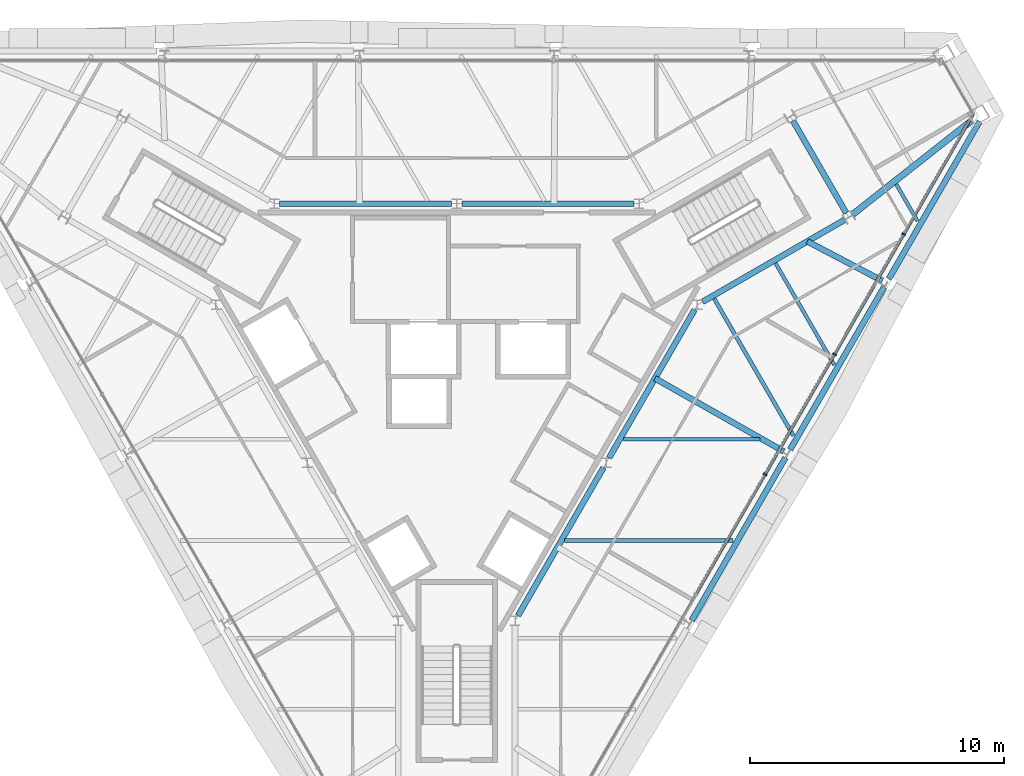
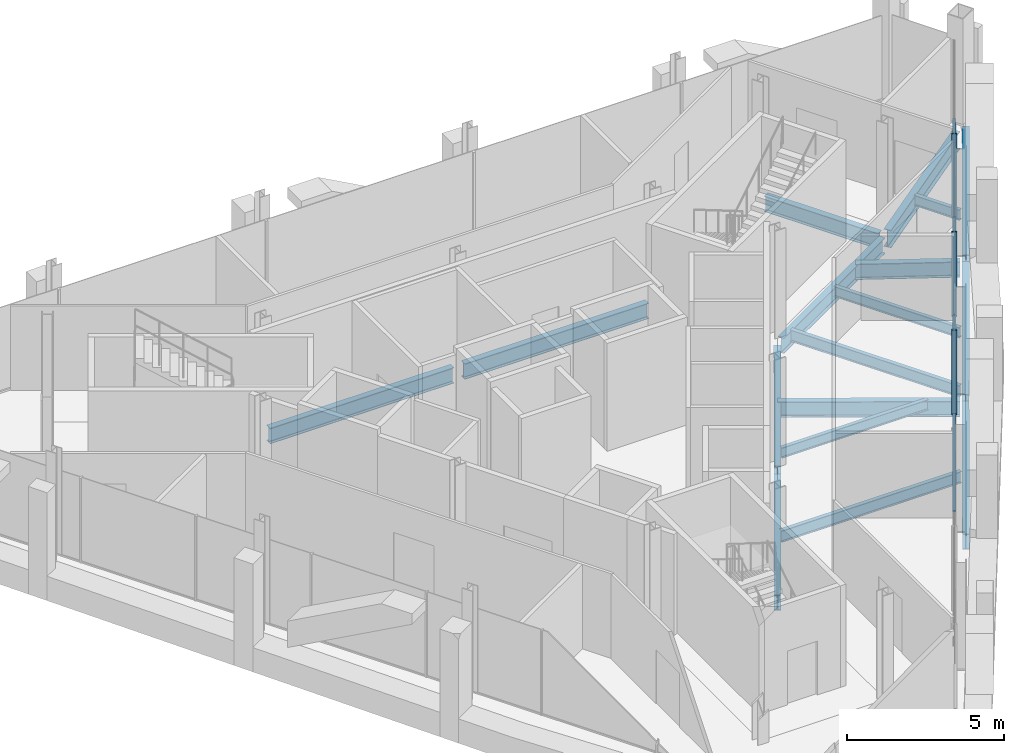
# One storey, part 5 of 13: 17 beams, 7 members, 1 element without a shape of its own.
"""IFC4 building model written with IfcOpenShell, lengths in metres."""

from ifc_helpers import new_model, si_unit, direction, frame, origin, origin_2d, place, context, subcontext, project, spatial, rectangle, i_section, extrude, material, material_profile, profile_set, type_object, element, aggregate, save


model = new_model("IFC4")

# Units and contexts
model_context = context("Model", 3, precision=1e-05, world=origin(), true_north=direction((0.0, 1.0)))
body_context = subcontext(model_context, "Body", "Model", "MODEL_VIEW")
ifc_project = project(units=[si_unit("LENGTHUNIT", "METRE"), si_unit("AREAUNIT", "SQUARE_METRE"), si_unit("VOLUMEUNIT", "CUBIC_METRE"), si_unit("PLANEANGLEUNIT", "RADIAN"), si_unit("MASSUNIT", "GRAM", prefix="KILO")], contexts=[model_context])

# Site, building, storey
site_placement = place(None, origin())
site = spatial("IfcSite", under=ifc_project, at=site_placement, CompositionType="ELEMENT")
building_placement = place(site_placement, origin())
building = spatial("IfcBuilding", under=site, at=building_placement, Name="Verrane Prism Tower", CompositionType="ELEMENT")
storey_placement = place(building_placement, frame((0.0, 0.0, 308.39990234375)))
storey = spatial("IfcBuildingStorey", under=building, at=storey_placement, Name="L78", CompositionType="ELEMENT", Elevation=308.39990234375)

# Beams
ifc_material_1 = material(Name="Steel A992", Category="steel")
ifc_material_profile_1 = material_profile(ifc_material_1, i_section(OverallWidth=0.228271484375, OverallDepth=0.607177734375, WebThickness=0.01123046875, FlangeThickness=0.017333984375, FilletRadius=0.0126953125, at=origin_2d()), Name="W24x76")
ifc_profile_set_1 = profile_set([ifc_material_profile_1], Name="Steel A992")
beam_type_1 = type_object("IfcBeamType", Name="Core ring girder W24x76", PredefinedType="BEAM", material=ifc_profile_set_1)
beam_1_placement = place(storey_placement, frame((9.679443359375, 2.93505859375, -0.553466796875), z_axis=(0.866076057046, 0.499912255713, 0.0), x_axis=(-0.499912255713, 0.866076057046, 0.0)))
element("IfcBeam", 1, at=beam_1_placement, inside=storey, type_object=beam_type_1, Name="Core ring girder L78", PredefinedType="BEAM", context=body_context, shape_type="SweptSolid", body=[
    extrude(i_section(OverallWidth=0.228271484375, OverallDepth=0.607177734375, WebThickness=0.01123046875, FlangeThickness=0.017333984375, FilletRadius=0.0126953125, at=origin_2d()), origin(), (0.0, 0.0, 1.0), 6.458251953125),
])
beam_2_placement = place(storey_placement, frame((15.340087890625, 6.4326171875, -0.553466796875), z_axis=(-0.500323136493, 0.865838760445, 0.0), x_axis=(-0.865838760445, -0.500323136493, 0.0)))
element("IfcBeam", 2, at=beam_2_placement, inside=storey, type_object=beam_type_1, Name="Core ring girder L78", PredefinedType="BEAM", context=body_context, shape_type="SweptSolid", body=[
    extrude(i_section(OverallWidth=0.228271484375, OverallDepth=0.607177734375, WebThickness=0.01123046875, FlangeThickness=0.017333984375, FilletRadius=0.0126953125, at=origin_2d()), origin(), (0.0, 0.0, 1.0), 4.197998046875),
])
for number, where, z_axis, x_axis, name in (
    (3, (6.980712890625, 6.800048828125, -0.553466796875), (-1.0, 0.0, 0.0), (0.0, -1.0, 0.0), "Core ring girder L78"),
    (4, (-0.199462890625, 6.800048828125, -0.553466796875), (-1.0, 0.0, 0.0), (0.0, -1.0, 0.0), "Core ring girder L78"),
):
    element("IfcBeam", number, at=place(storey_placement, frame(where, z_axis=z_axis, x_axis=x_axis)), inside=storey, type_object=beam_type_1, Name=name, PredefinedType="BEAM", context=body_context, shape_type="SweptSolid", body=[
        extrude(i_section(OverallWidth=0.228271484375, OverallDepth=0.607177734375, WebThickness=0.01123046875, FlangeThickness=0.017333984375, FilletRadius=0.0126953125, at=origin_2d()), origin(), (0.0, 0.0, 1.0), 6.78125),
    ])
for number, where, z_axis, x_axis, name in (
    (5, (2.411376953125, -9.427001953125, -0.553466796875), (0.499881421193, 0.866093854468, 0.0), (-0.866093854468, 0.499881421193, 0.0), "Core ring girder L78"),
    (6, (6.00146484375, -3.20703125, -0.553466796875), (0.499881421193, 0.866093854468, 0.0), (-0.866093854468, 0.499881421193, 0.0), "Core ring girder L78"),
):
    element("IfcBeam", number, at=place(storey_placement, frame(where, z_axis=z_axis, x_axis=x_axis)), inside=storey, type_object=beam_type_1, Name=name, PredefinedType="BEAM", context=body_context, shape_type="SweptSolid", body=[
        extrude(i_section(OverallWidth=0.228271484375, OverallDepth=0.607177734375, WebThickness=0.01123046875, FlangeThickness=0.017333984375, FilletRadius=0.0126953125, at=origin_2d()), origin(), (0.0, 0.0, 1.0), 6.736083984375),
    ])
ifc_material_2 = material(Name="Steel A992", Category="steel")
ifc_material_profile_2 = material_profile(ifc_material_2, i_section(OverallWidth=0.25390625, OverallDepth=0.683349609375, WebThickness=0.012451171875, FlangeThickness=0.01904296875, FilletRadius=0.01513671875, at=origin_2d()), Name="W27x94")
ifc_profile_set_2 = profile_set([ifc_material_profile_2], Name="Steel A992")
beam_type_2 = type_object("IfcBeamType", Name="Corner girder W27x94", PredefinedType="BEAM", material=ifc_profile_set_2)
beam_3_placement = place(storey_placement, frame((20.26220703125, 10.06103515625, -0.5615234375), z_axis=(-0.785339810319, -0.619064925777, 0.0), x_axis=(0.619064925777, -0.785339810319, 0.0)))
element("IfcBeam", 7, at=beam_3_placement, inside=storey, type_object=beam_type_2, Name="Corner girder L78", PredefinedType="BEAM", context=body_context, shape_type="SweptSolid", body=[
    extrude(i_section(OverallWidth=0.25390625, OverallDepth=0.683349609375, WebThickness=0.012451171875, FlangeThickness=0.01904296875, FilletRadius=0.01513671875, at=origin_2d()), origin(), (0.0, 0.0, 1.0), 5.945068359375),
])
ifc_material_3 = material(Name="Steel A992", Category="steel")
ifc_material_profile_3 = material_profile(ifc_material_3, i_section(OverallWidth=0.140380859375, OverallDepth=0.40380859375, WebThickness=0.007080078125, FlangeThickness=0.01123046875, FilletRadius=0.01025390625, at=origin_2d()), Name="W16x31")
ifc_profile_set_3 = profile_set([ifc_material_profile_3], Name="Steel A992")
beam_type_3 = type_object("IfcBeamType", Name="Floor beam W16x31", PredefinedType="BEAM", material=ifc_profile_set_3)
beam_4_placement = place(storey_placement, frame((6.5595703125, -2.469970703125, -0.36181640625), z_axis=(1.0, 0.0, 0.0), x_axis=(0.0, 1.0, 0.0)))
element("IfcBeam", 8, at=beam_4_placement, inside=storey, type_object=beam_type_3, Name="Floor beam L78", PredefinedType="BEAM", context=body_context, shape_type="SweptSolid", body=[
    extrude(i_section(OverallWidth=0.140380859375, OverallDepth=0.40380859375, WebThickness=0.007080078125, FlangeThickness=0.01123046875, FilletRadius=0.01025390625, at=origin_2d()), origin(), (0.0, 0.0, 1.0), 5.39208984375),
])
beam_5_placement = place(storey_placement, frame((14.8671875, 0.453369140625, -0.36181640625), z_axis=(-0.500013101342, 0.866017839589, 0.0), x_axis=(-0.866017839589, -0.500013101342, 0.0)))
element("IfcBeam", 9, at=beam_5_placement, inside=storey, type_object=beam_type_3, Name="Floor beam L78", PredefinedType="BEAM", context=body_context, shape_type="SweptSolid", body=[
    extrude(i_section(OverallWidth=0.140380859375, OverallDepth=0.40380859375, WebThickness=0.007080078125, FlangeThickness=0.01123046875, FilletRadius=0.01025390625, at=origin_2d()), origin(), (0.0, 0.0, 1.0), 4.62939453125),
])
beam_6_placement = place(storey_placement, frame((18.142578125, 6.123779296875, -0.36181640625), z_axis=(-0.499912255713, 0.866076057046, 0.0), x_axis=(-0.866076057046, -0.499912255713, 0.0)))
element("IfcBeam", 10, at=beam_6_placement, inside=storey, type_object=beam_type_3, Name="Floor beam L78", PredefinedType="BEAM", context=body_context, shape_type="SweptSolid", body=[
    extrude(i_section(OverallWidth=0.140380859375, OverallDepth=0.40380859375, WebThickness=0.007080078125, FlangeThickness=0.01123046875, FilletRadius=0.01025390625, at=origin_2d()), origin(), (0.0, 0.0, 1.0), 1.670166015625),
])
ifc_material_4 = material(Name="Steel A992", Category="steel")
ifc_material_profile_4 = material_profile(ifc_material_4, i_section(OverallWidth=0.15234375, OverallDepth=0.449462890625, WebThickness=0.007568359375, FlangeThickness=0.0107421875, FilletRadius=0.01025390625, at=origin_2d()), Name="W18x35")
ifc_profile_set_4 = profile_set([ifc_material_profile_4], Name="Steel A992")
beam_type_4 = type_object("IfcBeamType", Name="Floor beam W18x35", PredefinedType="BEAM", material=ifc_profile_set_4)
beam_7_placement = place(storey_placement, frame((4.251953125, -6.4599609375, -0.384765625), z_axis=(1.0, 0.0, 0.0), x_axis=(0.0, 1.0, 0.0)))
element("IfcBeam", 11, at=beam_7_placement, inside=storey, type_object=beam_type_4, Name="Floor beam L78", PredefinedType="BEAM", context=body_context, shape_type="SweptSolid", body=[
    extrude(i_section(OverallWidth=0.15234375, OverallDepth=0.449462890625, WebThickness=0.007568359375, FlangeThickness=0.0107421875, FilletRadius=0.01025390625, at=origin_2d()), origin(), (0.0, 0.0, 1.0), 6.625244140625),
])
beam_8_placement = place(storey_placement, frame((13.255615234375, -2.33349609375, -0.384765625), z_axis=(-0.499991270124, 0.866030443922, 0.0), x_axis=(-0.866030443922, -0.499991270124, 0.0)))
element("IfcBeam", 12, at=beam_8_placement, inside=storey, type_object=beam_type_4, Name="Floor beam L78", PredefinedType="BEAM", context=body_context, shape_type="SweptSolid", body=[
    extrude(i_section(OverallWidth=0.15234375, OverallDepth=0.449462890625, WebThickness=0.007568359375, FlangeThickness=0.0107421875, FilletRadius=0.01025390625, at=origin_2d()), origin(), (0.0, 0.0, 1.0), 6.23681640625),
])

# Curtain wall, members
ifc_material_5 = material(Name="Aluminium framed insulated glazing", Category="aluminium")
curtain_wall_type = type_object("IfcCurtainWallType", Name="Curtain wall CW-B 5600 module", PredefinedType="NOTDEFINED", material=ifc_material_5)
curtain_wall_placement = place(storey_placement, origin())
curtain_wall = element("IfcCurtainWall", 13, at=curtain_wall_placement, inside=storey, type_object=curtain_wall_type, Name="Glazed curtain wall south-east face L78", PredefinedType="NOTDEFINED")
ifc_material_6 = material(Name="Aluminium alloy 6063-T6", Category="aluminium")
ifc_material_profile_5 = material_profile(ifc_material_6, rectangle(XDim=0.159912109375, YDim=0.06005859375, at=origin_2d()), Name="Mullion 60x160 aluminium")
ifc_profile_set_5 = profile_set([ifc_material_profile_5], Name="Aluminium alloy 6063-T6")
member_type_1 = type_object("IfcMemberType", Name="Mullion 60x160 aluminium", PredefinedType="MULLION", material=ifc_profile_set_5)
member_1_placement = place(storey_placement, frame((12.144775390625, -3.85888671875, 0.0), z_axis=(0.0, 0.0, 1.0), x_axis=(-0.866025278644, 0.500000216749, 0.0)))
member_1 = element("IfcMember", 14, at=member_1_placement, type_object=member_type_1, Name="CW78.6 mullion 5", PredefinedType="MULLION", context=body_context, shape_type="SweptSolid", body=[
    extrude(rectangle(XDim=0.159912109375, YDim=0.06005859375, at=origin_2d()), origin(), (0.0, 0.0, 1.0), 3.296875),
])
member_2_placement = place(storey_placement, frame((14.87548828125, 0.87060546875, 0.0), z_axis=(0.0, 0.0, 1.0), x_axis=(-0.866025278644, 0.500000216749, 0.0)))
member_2 = element("IfcMember", 15, at=member_2_placement, type_object=member_type_1, Name="CW78.6 mullion 6", PredefinedType="MULLION", context=body_context, shape_type="SweptSolid", body=[
    extrude(rectangle(XDim=0.159912109375, YDim=0.06005859375, at=origin_2d()), origin(), (0.0, 0.0, 1.0), 3.296875),
])
member_3_placement = place(storey_placement, frame((17.60595703125, 5.60009765625, 0.0), z_axis=(0.0, 0.0, 1.0), x_axis=(-0.866025278644, 0.500000216749, 0.0)))
member_3 = element("IfcMember", 16, at=member_3_placement, type_object=member_type_1, Name="CW78.6 mullion 7", PredefinedType="MULLION", context=body_context, shape_type="SweptSolid", body=[
    extrude(rectangle(XDim=0.159912109375, YDim=0.06005859375, at=origin_2d()), origin(), (0.0, 0.0, 1.0), 3.296875),
])

# Beams
ifc_material_7 = material(Name="Steel A992", Category="steel")
ifc_material_profile_6 = material_profile(ifc_material_7, i_section(OverallWidth=0.228271484375, OverallDepth=0.607177734375, WebThickness=0.01123046875, FlangeThickness=0.017333984375, FilletRadius=0.0126953125, at=origin_2d()), Name="W24x76")
ifc_profile_set_6 = profile_set([ifc_material_profile_6], Name="Steel A992")
beam_type_5 = type_object("IfcBeamType", Name="Radial girder W24x76", PredefinedType="BEAM", material=ifc_profile_set_6)
beam_9_placement = place(storey_placement, frame((12.876220703125, -2.951904296875, -0.5234375), z_axis=(-0.869842405914, 0.493329695917, 0.0), x_axis=(-0.493329695917, -0.869842405914, 0.0)))
element("IfcBeam", 17, at=beam_9_placement, inside=storey, type_object=beam_type_5, Name="Radial girder L78", PredefinedType="BEAM", context=body_context, shape_type="SweptSolid", body=[
    extrude(i_section(OverallWidth=0.228271484375, OverallDepth=0.607177734375, WebThickness=0.01123046875, FlangeThickness=0.017333984375, FilletRadius=0.0126953125, at=origin_2d()), origin(), (0.0, 0.0, 1.0), 5.82666015625),
])
beam_10_placement = place(storey_placement, frame((16.759765625, 3.76513671875, -0.5234375), z_axis=(-0.88527666462, 0.465064755792, 0.0), x_axis=(-0.465064755792, -0.88527666462, 0.0)))
element("IfcBeam", 18, at=beam_10_placement, inside=storey, type_object=beam_type_5, Name="Radial girder L78", PredefinedType="BEAM", context=body_context, shape_type="SweptSolid", body=[
    extrude(i_section(OverallWidth=0.228271484375, OverallDepth=0.607177734375, WebThickness=0.01123046875, FlangeThickness=0.017333984375, FilletRadius=0.0126953125, at=origin_2d()), origin(), (0.0, 0.0, 1.0), 3.336669921875),
])
ifc_material_8 = material(Name="Steel A992", Category="steel")
ifc_material_profile_7 = material_profile(ifc_material_8, i_section(OverallWidth=0.228271484375, OverallDepth=0.607177734375, WebThickness=0.01123046875, FlangeThickness=0.017333984375, FilletRadius=0.0126953125, at=origin_2d()), Name="W24x76")
ifc_profile_set_7 = profile_set([ifc_material_profile_7], Name="Steel A992")
beam_type_6 = type_object("IfcBeamType", Name="Spandrel beam W24x76", PredefinedType="SPANDREL", material=ifc_profile_set_7)
beam_11_placement = place(storey_placement, frame((9.251953125, -9.610107421875, -0.46337890625), z_axis=(0.499307867729, 0.866424637937, 0.0), x_axis=(-0.866424637937, 0.499307867729, 0.0)))
element("IfcBeam", 19, at=beam_11_placement, inside=storey, type_object=beam_type_6, Name="Spandrel beam L78", PredefinedType="SPANDREL", context=body_context, shape_type="SweptSolid", body=[
    extrude(i_section(OverallWidth=0.228271484375, OverallDepth=0.607177734375, WebThickness=0.01123046875, FlangeThickness=0.017333984375, FilletRadius=0.0126953125, at=origin_2d()), origin(), (0.0, 0.0, 1.0), 7.39306640625),
])
beam_12_placement = place(storey_placement, frame((13.1298828125, -2.88134765625, -0.46337890625), z_axis=(0.500482835785, 0.865746458892, 0.0), x_axis=(-0.865746458892, 0.500482835785, 0.0)))
element("IfcBeam", 20, at=beam_12_placement, inside=storey, type_object=beam_type_6, Name="Spandrel beam L78", PredefinedType="SPANDREL", context=body_context, shape_type="SweptSolid", body=[
    extrude(i_section(OverallWidth=0.228271484375, OverallDepth=0.607177734375, WebThickness=0.01123046875, FlangeThickness=0.017333984375, FilletRadius=0.0126953125, at=origin_2d()), origin(), (0.0, 0.0, 1.0), 7.391845703125),
])
beam_13_placement = place(storey_placement, frame((17.01611328125, 3.84130859375, -0.46337890625), z_axis=(0.499651701324, 0.866226400755, 0.0), x_axis=(-0.866226400755, 0.499651701324, 0.0)))
element("IfcBeam", 21, at=beam_13_placement, inside=storey, type_object=beam_type_6, Name="Spandrel beam L78", PredefinedType="SPANDREL", context=body_context, shape_type="SweptSolid", body=[
    extrude(i_section(OverallWidth=0.228271484375, OverallDepth=0.607177734375, WebThickness=0.01123046875, FlangeThickness=0.017333984375, FilletRadius=0.0126953125, at=origin_2d()), origin(), (0.0, 0.0, 1.0), 7.16943359375),
])

# Member
ifc_material_9 = material(Name="Aluminium alloy 6063-T6", Category="aluminium")
ifc_material_profile_8 = material_profile(ifc_material_9, rectangle(XDim=0.1201171875, YDim=0.06005859375, at=origin_2d()), Name="Transom 60x120 aluminium")
ifc_profile_set_8 = profile_set([ifc_material_profile_8], Name="Aluminium alloy 6063-T6")
member_type_2 = type_object("IfcMemberType", Name="Transom 60x120 aluminium", PredefinedType="USERDEFINED", material=ifc_profile_set_8)
member_4_placement = place(storey_placement, frame((9.42919921875, -8.562255859375, 0.030029296875), z_axis=(0.500018516412, 0.866014713065, 0.0), x_axis=(-0.866014713065, 0.500018516412, 0.0)))
member_4 = element("IfcMember", 22, at=member_4_placement, type_object=member_type_2, Name="CW78.6 transom 4", ObjectType="TRANSOM", PredefinedType="USERDEFINED", context=body_context, shape_type="SweptSolid", body=[
    extrude(rectangle(XDim=0.1201171875, YDim=0.06005859375, at=origin_2d()), origin(), (0.0, 0.0, 1.0), 5.401123046875),
])

member_5_placement = place(storey_placement, frame((12.159912109375, -3.832763671875, 0.030029296875), z_axis=(0.499984615007, 0.866034286132, 0.0), x_axis=(-0.866034286132, 0.499984615007, 0.0)))
member_5 = element("IfcMember", 23, at=member_5_placement, type_object=member_type_2, Name="CW78.6 transom 5", ObjectType="TRANSOM", PredefinedType="USERDEFINED", context=body_context, shape_type="SweptSolid", body=[
    extrude(rectangle(XDim=0.1201171875, YDim=0.06005859375, at=origin_2d()), origin(), (0.0, 0.0, 1.0), 5.401123046875),
])

member_6_placement = place(storey_placement, frame((14.890380859375, 0.896728515625, 0.030029296875), z_axis=(0.500018516412, 0.866014713065, 0.0), x_axis=(-0.866014713065, 0.500018516412, 0.0)))
member_6 = element("IfcMember", 24, at=member_6_placement, type_object=member_type_2, Name="CW78.6 transom 6", ObjectType="TRANSOM", PredefinedType="USERDEFINED", context=body_context, shape_type="SweptSolid", body=[
    extrude(rectangle(XDim=0.1201171875, YDim=0.06005859375, at=origin_2d()), origin(), (0.0, 0.0, 1.0), 5.401123046875),
])

member_7_placement = place(storey_placement, frame((17.62109375, 5.6259765625, 0.030029296875), z_axis=(0.499992236248, 0.866029886142, 0.0), x_axis=(-0.866029886142, 0.499992236248, 0.0)))
member_7 = element("IfcMember", 25, at=member_7_placement, type_object=member_type_2, Name="CW78.6 transom 7", ObjectType="TRANSOM", PredefinedType="USERDEFINED", context=body_context, shape_type="SweptSolid", body=[
    extrude(rectangle(XDim=0.1201171875, YDim=0.06005859375, at=origin_2d()), origin(), (0.0, 0.0, 1.0), 5.43115234375),
])

aggregate(curtain_wall, [member_1, member_2, member_3, member_4, member_5, member_6, member_7])

save(model, "model.ifc")
